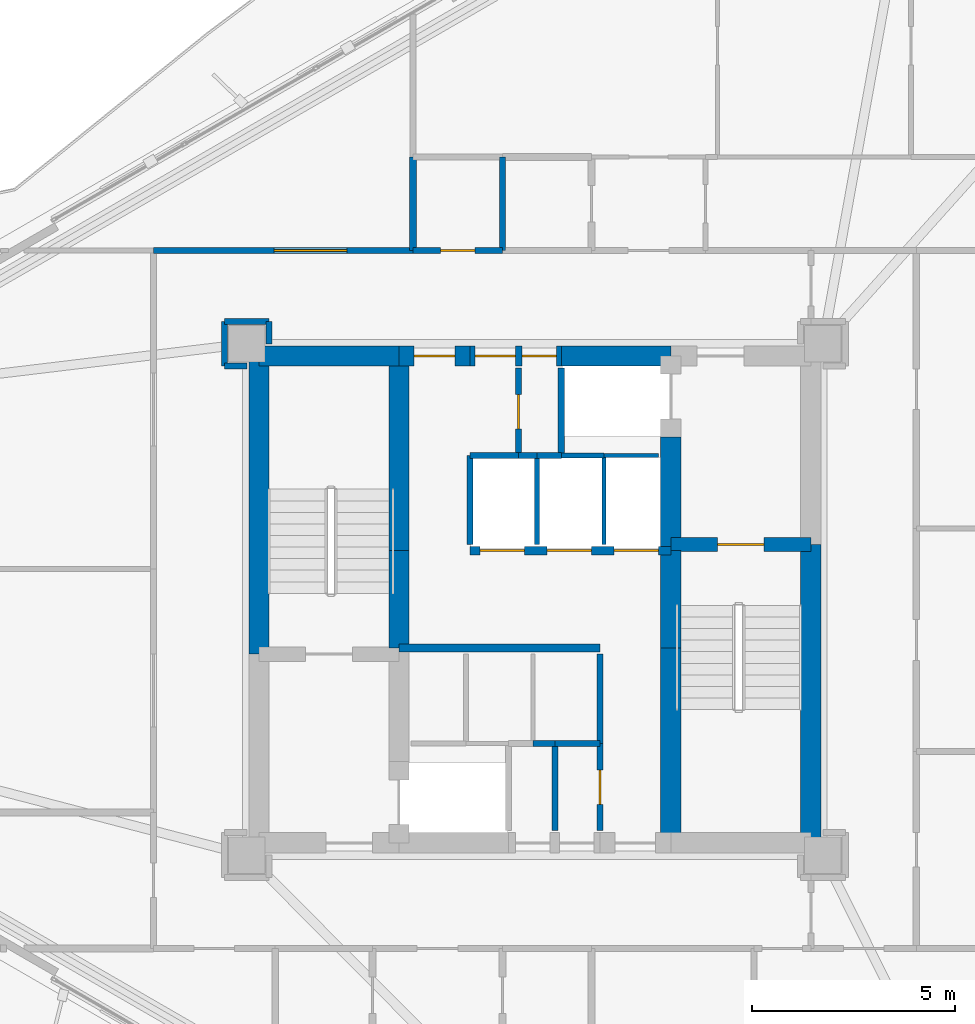
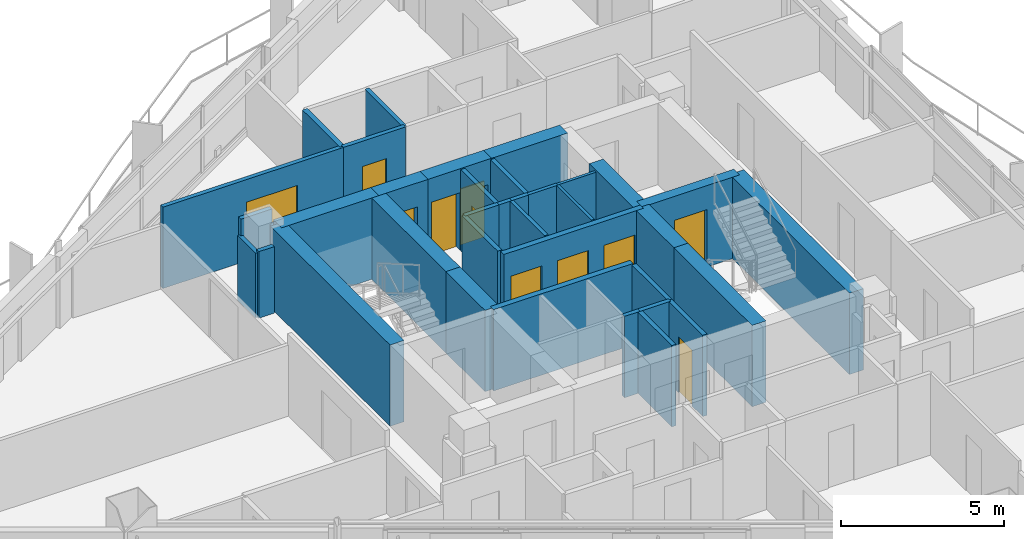
# One storey, part 17 of 22: 37 walls, 11 doors, 11 openings.
"""IFC4 building model written with IfcOpenShell, lengths in metres."""

import ifcopenshell
import ifcopenshell.guid

model = None  # the IFC model being written
_history = None  # IfcOwnerHistory: only IFC2X3 demands one
_inside = {}  # id of a spatial element -> (the spatial element, [elements in it])
_under = {}  # id of a project, library or spatial element -> (it, [spatial elements below it])
_declared = {}  # id of a project -> (the project, [libraries it declares])
_typed = {}  # id of a type object -> (the type object, [elements of that type])
_made_of = {}  # id of a material, layer set ... -> (it, [elements and type objects made of it])


def new_model(schema):
    """Start an empty IFC model of exactly this schema.

    Asked for "IFC4X3", IfcOpenShell would pick the latest addendum, in which some entities
    have other attributes; the version numbers below select the first issue.
    IFC2X3 requires an IfcOwnerHistory on every rooted entity: one is made here for all.
    """
    global model, _history
    if schema == "IFC4X3":
        model = ifcopenshell.file(schema_version=(4, 3, 0, 0))
    else:
        model = ifcopenshell.file(schema=schema)
    _inside.clear()
    _under.clear()
    _declared.clear()
    _typed.clear()
    _made_of.clear()
    _history = None
    if model.schema == "IFC2X3":
        org = make("IfcOrganization", Name="unknown")
        user = make(
            "IfcPersonAndOrganization",
            ThePerson=make("IfcPerson", FamilyName="unknown"),
            TheOrganization=org,
        )
        app = make(
            "IfcApplication",
            ApplicationDeveloper=org,
            Version="unknown",
            ApplicationFullName="unknown",
            ApplicationIdentifier="unknown",
        )
        _history = make(
            "IfcOwnerHistory",
            OwningUser=user,
            OwningApplication=app,
            ChangeAction="ADDED",
            CreationDate=0,
        )
    return model


def make(cls, **values):
    """One entity of the class cls with the attributes given. An attribute that is None is left unset."""
    return model.create_entity(
        cls, **{name: value for name, value in values.items() if value is not None}
    )


def rooted(cls, **values):
    """An entity with a GlobalId (a new one), such as an element, a storey or a relation."""
    return make(cls, GlobalId=ifcopenshell.guid.new(), OwnerHistory=_history, **values)


def si_unit(unit_type, name, prefix=None):
    """IfcSIUnit, for example si_unit("LENGTHUNIT", "METRE", prefix="MILLI")."""
    return make("IfcSIUnit", UnitType=unit_type, Prefix=prefix, Name=name)


def assignment(units):
    """IfcUnitAssignment: the units of a project."""
    return None if units is None else make("IfcUnitAssignment", Units=units)


def point(xyz):
    """IfcCartesianPoint."""
    return None if xyz is None else make("IfcCartesianPoint", Coordinates=xyz)


def direction(xyz):
    """IfcDirection."""
    return None if xyz is None else make("IfcDirection", DirectionRatios=xyz)


def frame(location, z_axis=None, x_axis=None):
    """IfcAxis2Placement3D, a coordinate frame: its origin and axes. An axis left out is left unset."""
    return make(
        "IfcAxis2Placement3D",
        Location=point(location),
        Axis=direction(z_axis),
        RefDirection=direction(x_axis),
    )


def frame_2d(location, x_axis=None):
    """IfcAxis2Placement2D, a coordinate frame in the plane: its origin and x axis."""
    return make(
        "IfcAxis2Placement2D", Location=point(location), RefDirection=direction(x_axis)
    )


def origin():
    """The frame at (0, 0, 0) with its axes left unset."""
    return frame((0.0, 0.0, 0.0))


def place(relative_to, where):
    """IfcLocalPlacement: puts the frame where relative to a parent placement (None: the world)."""
    return make(
        "IfcLocalPlacement", PlacementRelTo=relative_to, RelativePlacement=where
    )


def context(
    kind, dimensions, precision=None, world=None, true_north=None, identifier=None
):
    """IfcGeometricRepresentationContext, for example the 3D "Model" context."""
    return make(
        "IfcGeometricRepresentationContext",
        ContextIdentifier=identifier,
        ContextType=kind,
        CoordinateSpaceDimension=dimensions,
        Precision=precision,
        WorldCoordinateSystem=world,
        TrueNorth=true_north,
    )


def subcontext(parent, identifier, kind, view, scale=None):
    """IfcGeometricRepresentationSubContext, for example "Body" below "Model"."""
    return make(
        "IfcGeometricRepresentationSubContext",
        ContextIdentifier=identifier,
        ContextType=kind,
        ParentContext=parent,
        TargetScale=scale,
        TargetView=view,
    )


def project(units=None, contexts=None):
    """IfcProject with its units and contexts."""
    return rooted(
        "IfcProject",
        Name="project",
        RepresentationContexts=contexts,
        UnitsInContext=assignment(units),
    )


def spatial(cls, under=None, at=None, **own):
    """A site, building, storey or space (cls), placed at a placement, below another one or the project."""
    s = rooted(cls, ObjectPlacement=at, **own)
    if under is not None:
        _under.setdefault(under.id(), (under, []))[1].append(s)
    return s


def profile(cls, at=None, kind="AREA", **sizes):
    """A parametric profile (cls). Its sizes go by their IFC names, for example OverallWidth=200.0."""
    return make(cls, ProfileType=kind, Position=at, **sizes)


def rectangle(**sizes):
    """IfcRectangleProfileDef."""
    return profile("IfcRectangleProfileDef", **sizes)


def extrude(swept, where, along, depth):
    """IfcExtrudedAreaSolid: the profile swept, set in the frame where, extruded along a direction by depth."""
    return make(
        "IfcExtrudedAreaSolid",
        SweptArea=swept,
        Position=where,
        ExtrudedDirection=direction(along),
        Depth=depth,
    )


def shape(context_of_items, identifier, shape_type, items):
    """IfcShapeRepresentation: the items that make up one representation, for example the "Body"."""
    return make(
        "IfcShapeRepresentation",
        ContextOfItems=context_of_items,
        RepresentationIdentifier=identifier,
        RepresentationType=shape_type,
        Items=items,
    )


def material(Name=None, Category=None):
    """IfcMaterial."""
    return make("IfcMaterial", Name=Name, Category=Category)


def layer(
    of_material, thickness, ventilated=None, Name=None, Category=None, Priority=None
):
    """IfcMaterialLayer: one layer of a wall or slab, of a material (None: an air gap)."""
    return make(
        "IfcMaterialLayer",
        Material=of_material,
        LayerThickness=thickness,
        IsVentilated=ventilated,
        Name=Name,
        Category=Category,
        Priority=Priority,
    )


def layer_set(layers, Name=None):
    """IfcMaterialLayerSet."""
    return make("IfcMaterialLayerSet", MaterialLayers=layers, LayerSetName=Name)


def made_of(thing, what):
    """Note that an element or type object is made of a material, layer set ...; save() writes the relation."""
    if what is not None:
        _made_of.setdefault(what.id(), (what, []))[1].append(thing)
    return thing


def type_object(cls, material=None, **own):
    """A type object (cls), such as IfcWallType, which elements share."""
    return made_of(rooted(cls, **own), material)


def element(
    cls,
    number,
    at=None,
    inside=None,
    cuts=None,
    type_object=None,
    material=None,
    context=None,
    identifier="Body",
    shape_type=None,
    held_by="IfcProductDefinitionShape",
    body=None,
    shapes=None,
    **own,
):
    """One element of the class cls, such as IfcWall. Its Tag is "e" and its number.

    at: its placement. inside: the storey or other place that contains it. cuts: it is an
    opening in that element (IfcRelVoidsElement). A single representation is given by context,
    identifier, shape_type and body (its items); several are given by shapes. held_by: the class
    of the entity that holds the representations. save() writes the other relations.
    """
    e = rooted(cls, Tag="e%d" % number, ObjectPlacement=at, **own)
    if body is not None:
        shapes = [shape(context, identifier, shape_type, body)]
    if shapes is not None:
        e.Representation = make(held_by, Representations=shapes)
    if inside is not None:
        _inside.setdefault(inside.id(), (inside, []))[1].append(e)
    if cuts is not None:
        rooted(
            "IfcRelVoidsElement", RelatingBuildingElement=cuts, RelatedOpeningElement=e
        )
    if type_object is not None:
        _typed.setdefault(type_object.id(), (type_object, []))[1].append(e)
    return made_of(e, material)


def fill(opening, filler):
    """IfcRelFillsElement: the door or window that sits in an opening."""
    return rooted(
        "IfcRelFillsElement",
        RelatingOpeningElement=opening,
        RelatedBuildingElement=filler,
    )


def aggregate(whole, parts):
    """IfcRelAggregates: a whole, such as a stair, and the parts it consists of."""
    return rooted("IfcRelAggregates", RelatingObject=whole, RelatedObjects=parts)


def save(model, path):
    """Write the relations noted so far, then the file.

    IfcRelAggregates (storeys below a building ...), IfcRelContainedInSpatialStructure (elements
    in a storey), IfcRelDefinesByType, IfcRelAssociatesMaterial and IfcRelDeclares: one each for
    every whole, place, type object, material and project.
    """
    for whole, parts in _under.values():
        aggregate(whole, parts)
    for where, things in _inside.values():
        rooted(
            "IfcRelContainedInSpatialStructure",
            RelatedElements=things,
            RelatingStructure=where,
        )
    for kind, things in _typed.values():
        rooted("IfcRelDefinesByType", RelatedObjects=things, RelatingType=kind)
    for what, things in _made_of.values():
        rooted("IfcRelAssociatesMaterial", RelatedObjects=things, RelatingMaterial=what)
    for by, libraries in _declared.values():
        rooted("IfcRelDeclares", RelatingContext=by, RelatedDefinitions=libraries)
    model.write(path)


model = new_model("IFC4")

# Units and contexts
model_context = context("Model", 3, precision=1e-05, world=origin(), true_north=direction((0.0, 1.0)))
body_context = subcontext(model_context, "Body", "Model", "MODEL_VIEW")
ifc_project = project(units=[si_unit("LENGTHUNIT", "METRE"), si_unit("AREAUNIT", "SQUARE_METRE"), si_unit("VOLUMEUNIT", "CUBIC_METRE"), si_unit("PLANEANGLEUNIT", "RADIAN"), si_unit("MASSUNIT", "GRAM", prefix="KILO")], contexts=[model_context])

# Site, building, storey
site_placement = place(None, origin())
site = spatial("IfcSite", under=ifc_project, at=site_placement, CompositionType="ELEMENT")
building_placement = place(site_placement, origin())
building = spatial("IfcBuilding", under=site, at=building_placement, Name="Mersakhor Tower and Convention Hall", CompositionType="ELEMENT")
storey_placement = place(building_placement, frame((0.0, 0.0, 86.699951171875)))
storey = spatial("IfcBuildingStorey", under=building, at=storey_placement, Name="L23", CompositionType="ELEMENT", Elevation=86.699951171875)

# Walls
ifc_material_1 = material(Name="Moisture-resistant acoustic drywall studwork", Category="other")
ifc_layer_1 = layer(ifc_material_1, 0.175048828125)
ifc_layer_set_1 = layer_set([ifc_layer_1], Name="Moisture-resistant acoustic drywall studwork")
wall_type_1 = type_object("IfcWallType", Name="WL-PLM-175", PredefinedType="PLUMBINGWALL", material=ifc_layer_set_1)
wall_1_placement = place(storey_placement, frame((26.0, 35.35009765625, 0.0), z_axis=(0.0, 0.0, 1.0), x_axis=(0.0, 1.0, 0.0)))
element("IfcWall", 1, at=wall_1_placement, inside=storey, type_object=wall_type_1, Name="L23 Interior Partition Wall P-068", PredefinedType="PLUMBINGWALL", context=body_context, shape_type="SweptSolid", body=[
    extrude(rectangle(XDim=2.2998046875, YDim=0.175048828125, at=frame_2d((1.14990234375, 0.0))), origin(), (0.0, 0.0, 1.0), 3.050048828125),
])
ifc_material_2 = material(Name="Lightweight gypsum partition", Category="other")
ifc_layer_2 = layer(ifc_material_2, 0.10009765625)
ifc_layer_set_2 = layer_set([ifc_layer_2], Name="Lightweight gypsum partition")
wall_type_2 = type_object("IfcWallType", Name="WL-PRT-100", PredefinedType="PARTITIONING", material=ifc_layer_set_2)
wall_2_placement = place(storey_placement, frame((32.050048828125, 30.300048828125, 0.0), z_axis=(0.0, 0.0, 1.0), x_axis=(-1.0, 0.0, 0.0)))
element("IfcWall", 2, at=wall_2_placement, inside=storey, type_object=wall_type_2, Name="L23 Interior Partition Wall P-004", PredefinedType="PARTITIONING", context=body_context, shape_type="SweptSolid", body=[
    extrude(rectangle(XDim=1.35009765625, YDim=0.10009765625, at=frame_2d((0.675048828125, 0.0))), origin(), (0.0, 0.0, 1.0), 3.050048828125),
])
wall_3_placement = place(storey_placement, frame((30.699951171875, 30.300048828125, 0.0), z_axis=(0.0, 0.0, 1.0), x_axis=(0.0, -1.0, 0.0)))
element("IfcWall", 3, at=wall_3_placement, inside=storey, type_object=wall_type_2, Name="L23 Interior Partition Wall P-018", PredefinedType="PARTITIONING", context=body_context, shape_type="SweptSolid", body=[
    extrude(rectangle(XDim=2.199951171875, YDim=0.10009765625, at=frame_2d((1.10009765625, 0.0))), origin(), (0.0, 0.0, 1.0), 3.050048828125),
])
ifc_material_3 = material(Name="Gypsum board acoustic partition", Category="other")
ifc_layer_3 = layer(ifc_material_3, 0.125)
ifc_layer_set_3 = layer_set([ifc_layer_3], Name="Gypsum board acoustic partition")
wall_type_3 = type_object("IfcWallType", Name="WL-PRT-125", PredefinedType="PARTITIONING", material=ifc_layer_set_3)
wall_4_placement = place(storey_placement, frame((30.699951171875, 30.300048828125, 0.0), z_axis=(0.0, 0.0, 1.0), x_axis=(-1.0, 0.0, 0.0)))
element("IfcWall", 4, at=wall_4_placement, inside=storey, type_object=wall_type_3, Name="L23 Interior Partition Wall P-005", PredefinedType="PARTITIONING", context=body_context, shape_type="SweptSolid", body=[
    extrude(rectangle(XDim=1.050048828125, YDim=0.125, at=frame_2d((0.52490234375, 0.0))), origin(), (0.0, 0.0, 1.0), 3.050048828125),
])
wall_5_placement = place(storey_placement, frame((29.050048828125, 30.300048828125, 0.0), z_axis=(0.0, 0.0, 1.0), x_axis=(0.0, -1.0, 0.0)))
element("IfcWall", 5, at=wall_5_placement, inside=storey, type_object=wall_type_3, Name="L23 Interior Partition Wall P-015", PredefinedType="PARTITIONING", context=body_context, shape_type="SweptSolid", body=[
    extrude(rectangle(XDim=2.199951171875, YDim=0.125, at=frame_2d((1.10009765625, 0.0))), origin(), (0.0, 0.0, 1.0), 3.050048828125),
])
ifc_material_4 = material(Name="Fire-rated gypsum board stud partition", Category="other")
ifc_layer_4 = layer(ifc_material_4, 0.14990234375)
ifc_layer_set_4 = layer_set([ifc_layer_4], Name="Fire-rated gypsum board stud partition")
wall_type_4 = type_object("IfcWallType", Name="WL-PRT-150", PredefinedType="PARTITIONING", material=ifc_layer_set_4)
wall_6_placement = place(storey_placement, frame((29.64990234375, 30.300048828125, 0.0), z_axis=(0.0, 0.0, 1.0), x_axis=(0.0, 1.0, 0.0)))
element("IfcWall", 6, at=wall_6_placement, inside=storey, type_object=wall_type_4, Name="L23 Interior Partition Wall P-006", PredefinedType="PARTITIONING", context=body_context, shape_type="SweptSolid", body=[
    extrude(rectangle(XDim=2.14990234375, YDim=0.14990234375, at=frame_2d((1.074951171875, 0.0))), origin(), (0.0, 0.0, 1.0), 3.050048828125),
])
wall_7_placement = place(storey_placement, frame((30.60009765625, 25.39990234375, 0.0), z_axis=(0.0, 0.0, 1.0), x_axis=(0.0, -1.0, 0.0)))
element("IfcWall", 7, at=wall_7_placement, inside=storey, type_object=wall_type_4, Name="L23 Interior Partition Wall P-010", PredefinedType="PARTITIONING", context=body_context, shape_type="SweptSolid", body=[
    extrude(rectangle(XDim=2.199951171875, YDim=0.14990234375, at=frame_2d((1.10009765625, 0.0))), origin(), (0.0, 0.0, 1.0), 3.050048828125),
])
wall_8_placement = place(storey_placement, frame((30.60009765625, 23.199951171875, 0.0), z_axis=(0.0, 0.0, 1.0), x_axis=(-1.0, 0.0, 0.0)))
element("IfcWall", 8, at=wall_8_placement, inside=storey, type_object=wall_type_4, Name="L23 Interior Partition Wall P-011", PredefinedType="PARTITIONING", context=body_context, shape_type="SweptSolid", body=[
    extrude(rectangle(XDim=1.10009765625, YDim=0.14990234375, at=frame_2d((0.550048828125, 0.0))), origin(), (0.0, 0.0, 1.0), 3.050048828125),
])
wall_9_placement = place(storey_placement, frame((29.5, 23.199951171875, 0.0), z_axis=(0.0, 0.0, 1.0), x_axis=(-1.0, 0.0, 0.0)))
element("IfcWall", 9, at=wall_9_placement, inside=storey, type_object=wall_type_4, Name="L23 Interior Partition Wall P-012", PredefinedType="PARTITIONING", context=body_context, shape_type="SweptSolid", body=[
    extrude(rectangle(XDim=0.550048828125, YDim=0.14990234375, at=frame_2d((0.27490234375, 0.0))), origin(), (0.0, 0.0, 1.0), 3.050048828125),
])
wall_10_placement = place(storey_placement, frame((27.39990234375, 30.300048828125, 0.0), z_axis=(0.0, 0.0, 1.0), x_axis=(1.0, 0.0, 0.0)))
element("IfcWall", 10, at=wall_10_placement, inside=storey, type_object=wall_type_4, Name="L23 Interior Partition Wall P-013", PredefinedType="PARTITIONING", context=body_context, shape_type="SweptSolid", body=[
    extrude(rectangle(XDim=1.2001953125, YDim=0.14990234375, at=frame_2d((0.60009765625, 0.0))), origin(), (0.0, 0.0, 1.0), 3.050048828125),
])
wall_11_placement = place(storey_placement, frame((28.60009765625, 30.300048828125, 0.0), z_axis=(0.0, 0.0, 1.0), x_axis=(1.0, 0.0, 0.0)))
element("IfcWall", 11, at=wall_11_placement, inside=storey, type_object=wall_type_4, Name="L23 Interior Partition Wall P-014", PredefinedType="PARTITIONING", context=body_context, shape_type="SweptSolid", body=[
    extrude(rectangle(XDim=0.449951171875, YDim=0.14990234375, at=frame_2d((0.22509765625, 0.0))), origin(), (0.0, 0.0, 1.0), 3.050048828125),
])
wall_12_placement = place(storey_placement, frame((27.39990234375, 28.10009765625, 0.0), z_axis=(0.0, 0.0, 1.0), x_axis=(0.0, 1.0, 0.0)))
element("IfcWall", 12, at=wall_12_placement, inside=storey, type_object=wall_type_4, Name="L23 Interior Partition Wall P-016", PredefinedType="PARTITIONING", context=body_context, shape_type="SweptSolid", body=[
    extrude(rectangle(XDim=2.199951171875, YDim=0.14990234375, at=frame_2d((1.10009765625, 0.0))), origin(), (0.0, 0.0, 1.0), 3.050048828125),
])
wall_13_placement = place(storey_placement, frame((29.050048828125, 30.300048828125, 0.0), z_axis=(0.0, 0.0, 1.0), x_axis=(1.0, 0.0, 0.0)))
element("IfcWall", 13, at=wall_13_placement, inside=storey, type_object=wall_type_4, Name="L23 Interior Partition Wall P-017", PredefinedType="PARTITIONING", context=body_context, shape_type="SweptSolid", body=[
    extrude(rectangle(XDim=0.599853515625, YDim=0.14990234375, at=frame_2d((0.2998046875, 0.0))), origin(), (0.0, 0.0, 1.0), 3.050048828125),
])

# Wall, opening, door
wall_14_placement = place(storey_placement, frame((30.60009765625, 21.050048828125, 0.0), z_axis=(0.0, 0.0, 1.0), x_axis=(0.0, 1.0, 0.0)))
wall_14 = element("IfcWall", 14, at=wall_14_placement, inside=storey, type_object=wall_type_4, Name="L23 Interior Partition Wall P-019", PredefinedType="PARTITIONING", context=body_context, shape_type="SweptSolid", body=[
    extrude(rectangle(XDim=2.14990234375, YDim=0.14990234375, at=frame_2d((1.074951171875, 0.0))), origin(), (0.0, 0.0, 1.0), 3.050048828125),
])
opening_1_placement = place(wall_14_placement, frame((0.64990234375, 0.0, 0.0)))
opening_1 = element("IfcOpeningElement", 15, at=opening_1_placement, cuts=wall_14, Name="Opening SVD-01", PredefinedType="OPENING", context=body_context, shape_type="SweptSolid", body=[
    extrude(rectangle(XDim=0.85009765625, YDim=2.10009765625, at=frame_2d((0.425048828125, 1.050048828125))), frame((0.0, 0.0849609375, 0.0), z_axis=(0.0, -1.0, 0.0), x_axis=(1.0, 0.0, 0.0)), (0.0, 0.0, 1.0), 0.169921875),
])
ifc_material_5 = material(Name="Fire-rated hardwood leaf and painted steel frame", Category="steel")
door_type_1 = type_object("IfcDoorType", Name="DR-INT-SVC-085x210", OperationType="NOTDEFINED", PredefinedType="DOOR", material=ifc_material_5)
door_1_placement = place(opening_1_placement, origin())
door_1 = element("IfcDoor", 16, at=door_1_placement, inside=storey, type_object=door_type_1, Name="L23 Central Passenger Lift Lobby to Refuse and Recycling Room Door", OperationType="SINGLE_SWING_LEFT", OverallHeight=2.10009765625, OverallWidth=0.85009765625, PredefinedType="DOOR", context=body_context, shape_type="SweptSolid", body=[
    extrude(rectangle(XDim=0.85009765625, YDim=2.10009765625, at=frame_2d((0.425048828125, 1.050048828125))), frame((0.0, 0.02490234375, 0.0), z_axis=(0.0, -1.0, 0.0), x_axis=(1.0, 0.0, 0.0)), (0.0, 0.0, 1.0), 0.050048828125),
])
fill(opening_1, door_1)

wall_15_placement = place(storey_placement, frame((28.60009765625, 32.449951171875, 0.0), z_axis=(0.0, 0.0, 1.0), x_axis=(0.0, -1.0, 0.0)))
wall_15 = element("IfcWall", 17, at=wall_15_placement, inside=storey, type_object=wall_type_4, Name="L23 Interior Partition Wall P-020", PredefinedType="PARTITIONING", context=body_context, shape_type="SweptSolid", body=[
    extrude(rectangle(XDim=2.14990234375, YDim=0.14990234375, at=frame_2d((1.074951171875, 0.0))), origin(), (0.0, 0.0, 1.0), 3.050048828125),
])
opening_2_placement = place(wall_15_placement, frame((0.64990234375, 0.0, 0.0)))
opening_2 = element("IfcOpeningElement", 18, at=opening_2_placement, cuts=wall_15, Name="Opening SVD-01", PredefinedType="OPENING", context=body_context, shape_type="SweptSolid", body=[
    extrude(rectangle(XDim=0.85009765625, YDim=2.10009765625, at=frame_2d((0.425048828125, 1.050048828125))), frame((0.0, 0.0849609375, 0.0), z_axis=(0.0, -1.0, 0.0), x_axis=(1.0, 0.0, 0.0)), (0.0, 0.0, 1.0), 0.169921875),
])
door_2_placement = place(opening_2_placement, origin())
door_2 = element("IfcDoor", 19, at=door_2_placement, inside=storey, type_object=door_type_1, Name="L23 Central Passenger Lift Lobby to Cleaner Store Room Door", OperationType="SINGLE_SWING_RIGHT", OverallHeight=2.10009765625, OverallWidth=0.85009765625, PredefinedType="DOOR", context=body_context, shape_type="SweptSolid", body=[
    extrude(rectangle(XDim=0.85009765625, YDim=2.10009765625, at=frame_2d((0.425048828125, 1.050048828125))), frame((0.0, 0.02490234375, 0.0), z_axis=(0.0, -1.0, 0.0), x_axis=(1.0, 0.0, 0.0)), (0.0, 0.0, 1.0), 0.050048828125),
])
fill(opening_2, door_2)

wall_16_placement = place(storey_placement, frame((19.60009765625, 35.35009765625, 0.0), z_axis=(0.0, 0.0, 1.0), x_axis=(1.0, 0.0, 0.0)))
wall_16 = element("IfcWall", 20, at=wall_16_placement, inside=storey, type_object=wall_type_4, Name="L23 Interior Partition Wall P-035", PredefinedType="PARTITIONING", context=body_context, shape_type="SweptSolid", body=[
    extrude(rectangle(XDim=6.39990234375, YDim=0.14990234375, at=frame_2d((3.199951171875, 0.0))), origin(), (0.0, 0.0, 1.0), 3.050048828125),
])
opening_3_placement = place(wall_16_placement, frame((2.966064453125, 0.0, 0.0)))
opening_3 = element("IfcOpeningElement", 21, at=opening_3_placement, cuts=wall_16, Name="Opening HD-01", PredefinedType="OPENING", context=body_context, shape_type="SweptSolid", body=[
    extrude(rectangle(XDim=1.800048828125, YDim=2.199951171875, at=frame_2d((0.89990234375, 1.10009765625))), frame((0.0, 0.0849609375, 0.0), z_axis=(0.0, -1.0, 0.0), x_axis=(1.0, 0.0, 0.0)), (0.0, 0.0, 1.0), 0.169921875),
])
ifc_material_6 = material(Name="Fire-rated hardwood leaf and painted steel frame", Category="steel")
door_type_2 = type_object("IfcDoorType", Name="DR-INT-HALL-180x220", OperationType="NOTDEFINED", PredefinedType="DOOR", material=ifc_material_6)
door_3_placement = place(opening_3_placement, origin())
door_3 = element("IfcDoor", 22, at=door_3_placement, inside=storey, type_object=door_type_2, Name="L23 Residential Ring Corridor to L23 North Residents Multi-Purpose Assembly Hall Door", OperationType="DOUBLE_DOOR_SINGLE_SWING", OverallHeight=2.199951171875, OverallWidth=1.800048828125, PredefinedType="DOOR", context=body_context, shape_type="SweptSolid", body=[
    extrude(rectangle(XDim=1.800048828125, YDim=2.199951171875, at=frame_2d((0.89990234375, 1.10009765625))), frame((0.0, 0.02490234375, 0.0), z_axis=(0.0, -1.0, 0.0), x_axis=(1.0, 0.0, 0.0)), (0.0, 0.0, 1.0), 0.050048828125),
])
fill(opening_3, door_3)

wall_17_placement = place(storey_placement, frame((26.0, 35.35009765625, 0.0), z_axis=(0.0, 0.0, 1.0), x_axis=(1.0, 0.0, 0.0)))
wall_17 = element("IfcWall", 23, at=wall_17_placement, inside=storey, type_object=wall_type_4, Name="L23 Interior Partition Wall P-036", PredefinedType="PARTITIONING", context=body_context, shape_type="SweptSolid", body=[
    extrude(rectangle(XDim=2.199951171875, YDim=0.14990234375, at=frame_2d((1.10009765625, 0.0))), origin(), (0.0, 0.0, 1.0), 3.050048828125),
])
opening_4_placement = place(wall_17_placement, frame((0.675048828125, 0.0, 0.0)))
opening_4 = element("IfcOpeningElement", 24, at=opening_4_placement, cuts=wall_17, Name="Opening SVD-01", PredefinedType="OPENING", context=body_context, shape_type="SweptSolid", body=[
    extrude(rectangle(XDim=0.85009765625, YDim=2.10009765625, at=frame_2d((0.425048828125, 1.050048828125))), frame((0.0, 0.0849609375, 0.0), z_axis=(0.0, -1.0, 0.0), x_axis=(1.0, 0.0, 0.0)), (0.0, 0.0, 1.0), 0.169921875),
])
door_4_placement = place(opening_4_placement, origin())
door_4 = element("IfcDoor", 25, at=door_4_placement, inside=storey, type_object=door_type_1, Name="L23 Residential Ring Corridor to L23 North Floor Accessible Toilet WC Door", OperationType="SINGLE_SWING_LEFT", OverallHeight=2.10009765625, OverallWidth=0.85009765625, PredefinedType="DOOR", context=body_context, shape_type="SweptSolid", body=[
    extrude(rectangle(XDim=0.85009765625, YDim=2.10009765625, at=frame_2d((0.425048828125, 1.050048828125))), frame((0.0, 0.02490234375, 0.0), z_axis=(0.0, -1.0, 0.0), x_axis=(1.0, 0.0, 0.0)), (0.0, 0.0, 1.0), 0.050048828125),
])
fill(opening_4, door_4)

# Walls
wall_18_placement = place(storey_placement, frame((22.449951171875, 33.050048828125, 0.0), z_axis=(0.0, 0.0, 1.0), x_axis=(0.0, 1.0, 0.0)))
element("IfcWall", 26, at=wall_18_placement, inside=storey, type_object=wall_type_4, Name="L23 Interior Partition Wall P-043", PredefinedType="PARTITIONING", context=body_context, shape_type="SweptSolid", body=[
    extrude(rectangle(XDim=0.550048828125, YDim=0.14990234375, at=frame_2d((0.27490234375, 0.0))), origin(), (0.0, 0.0, 1.0), 2.498291015625),
])
wall_19_placement = place(storey_placement, frame((22.449951171875, 33.60009765625, 0.0), z_axis=(0.0, 0.0, 1.0), x_axis=(-1.0, 0.0, 0.0)))
element("IfcWall", 27, at=wall_19_placement, inside=storey, type_object=wall_type_4, Name="L23 Interior Partition Wall P-044", PredefinedType="PARTITIONING", context=body_context, shape_type="SweptSolid", body=[
    extrude(rectangle(XDim=1.099853515625, YDim=0.14990234375, at=frame_2d((0.5498046875, 0.0))), origin(), (0.0, 0.0, 1.0), 3.050048828125),
])
wall_20_placement = place(storey_placement, frame((21.35009765625, 33.60009765625, 0.0), z_axis=(0.0, 0.0, 1.0), x_axis=(0.0, -1.0, 0.0)))
element("IfcWall", 28, at=wall_20_placement, inside=storey, type_object=wall_type_4, Name="L23 Interior Partition Wall P-045", PredefinedType="PARTITIONING", context=body_context, shape_type="SweptSolid", body=[
    extrude(rectangle(XDim=1.10009765625, YDim=0.14990234375, at=frame_2d((0.550048828125, 0.0))), origin(), (0.0, 0.0, 1.0), 2.4228515625),
])
wall_21_placement = place(storey_placement, frame((21.35009765625, 32.5, 0.0), z_axis=(0.0, 0.0, 1.0), x_axis=(1.0, 0.0, 0.0)))
element("IfcWall", 29, at=wall_21_placement, inside=storey, type_object=wall_type_4, Name="L23 Interior Partition Wall P-046", PredefinedType="PARTITIONING", context=body_context, shape_type="SweptSolid", body=[
    extrude(rectangle(XDim=0.5498046875, YDim=0.14990234375, at=frame_2d((0.27490234375, 0.0))), origin(), (0.0, 0.0, 1.0), 2.498291015625),
])
wall_22_placement = place(storey_placement, frame((28.199951171875, 37.64990234375, 0.0), z_axis=(0.0, 0.0, 1.0), x_axis=(0.0, -1.0, 0.0)))
element("IfcWall", 30, at=wall_22_placement, inside=storey, type_object=wall_type_4, Name="L23 Interior Partition Wall P-067", PredefinedType="PARTITIONING", context=body_context, shape_type="SweptSolid", body=[
    extrude(rectangle(XDim=2.2998046875, YDim=0.14990234375, at=frame_2d((1.14990234375, 0.0))), origin(), (0.0, 0.0, 1.0), 3.050048828125),
])
wall_23_placement = place(storey_placement, frame((29.5, 23.199951171875, 0.0), z_axis=(0.0, 0.0, 1.0), x_axis=(0.0, -1.0, 0.0)))
element("IfcWall", 31, at=wall_23_placement, inside=storey, type_object=wall_type_4, Name="L23 Interior Partition Wall P-085", PredefinedType="PARTITIONING", context=body_context, shape_type="SweptSolid", body=[
    extrude(rectangle(XDim=2.14990234375, YDim=0.14990234375, at=frame_2d((1.074951171875, 0.0))), origin(), (0.0, 0.0, 1.0), 3.050048828125),
])
ifc_material_7 = material(Name="Acoustic concrete blockwork and gypsum board", Category="masonry")
ifc_layer_5 = layer(ifc_material_7, 0.199951171875)
ifc_layer_set_5 = layer_set([ifc_layer_5], Name="Acoustic concrete blockwork and gypsum board")
wall_type_5 = type_object("IfcWallType", Name="WL-PRT-200", PredefinedType="PARTITIONING", material=ifc_layer_set_5)
wall_24_placement = place(storey_placement, frame((25.64990234375, 25.550048828125, 0.0), z_axis=(0.0, 0.0, 1.0), x_axis=(1.0, 0.0, 0.0)))
element("IfcWall", 32, at=wall_24_placement, inside=storey, type_object=wall_type_5, Name="L23 High-Rise Lift Bank Front Wall", PredefinedType="PARTITIONING", context=body_context, shape_type="SweptSolid", body=[
    extrude(rectangle(XDim=4.9501953125, YDim=0.199951171875, at=frame_2d((2.47509765625, 0.0))), origin(), (0.0, 0.0, 1.0), 3.050048828125),
])

# Wall, openings, doors
wall_25_placement = place(storey_placement, frame((27.39990234375, 27.949951171875, 0.0), z_axis=(0.0, 0.0, 1.0), x_axis=(1.0, 0.0, 0.0)))
wall_25 = element("IfcWall", 33, at=wall_25_placement, inside=storey, type_object=wall_type_5, Name="L23 Low-Rise Lift Bank Front Wall", PredefinedType="PARTITIONING", context=body_context, shape_type="SweptSolid", body=[
    extrude(rectangle(XDim=4.9501953125, YDim=0.199951171875, at=frame_2d((2.47509765625, 0.0))), origin(), (0.0, 0.0, 1.0), 3.050048828125),
])
opening_5_placement = place(wall_25_placement, frame((0.25, 0.0, 0.0)))
opening_5 = element("IfcOpeningElement", 34, at=opening_5_placement, cuts=wall_25, Name="Opening LD-P1", PredefinedType="OPENING", context=body_context, shape_type="SweptSolid", body=[
    extrude(rectangle(XDim=1.10009765625, YDim=2.14990234375, at=frame_2d((0.550048828125, 1.074951171875))), frame((0.0, 0.10986328125, 0.0), z_axis=(0.0, -1.0, 0.0), x_axis=(1.0, 0.0, 0.0)), (0.0, 0.0, 1.0), 0.219970703125),
])
opening_6_placement = place(wall_25_placement, frame((1.89990234375, 0.0, 0.0)))
opening_6 = element("IfcOpeningElement", 35, at=opening_6_placement, cuts=wall_25, Name="Opening LD-P2", PredefinedType="OPENING", context=body_context, shape_type="SweptSolid", body=[
    extrude(rectangle(XDim=1.10009765625, YDim=2.14990234375, at=frame_2d((0.550048828125, 1.074951171875))), frame((0.0, 0.10986328125, 0.0), z_axis=(0.0, -1.0, 0.0), x_axis=(1.0, 0.0, 0.0)), (0.0, 0.0, 1.0), 0.219970703125),
])
opening_7_placement = place(wall_25_placement, frame((3.550048828125, 0.0, 0.0)))
opening_7 = element("IfcOpeningElement", 36, at=opening_7_placement, cuts=wall_25, Name="Opening LD-P3", PredefinedType="OPENING", context=body_context, shape_type="SweptSolid", body=[
    extrude(rectangle(XDim=1.10009765625, YDim=2.14990234375, at=frame_2d((0.550048828125, 1.074951171875))), frame((0.0, 0.10986328125, 0.0), z_axis=(0.0, -1.0, 0.0), x_axis=(1.0, 0.0, 0.0)), (0.0, 0.0, 1.0), 0.219970703125),
])
ifc_material_8 = material(Name="Fire-rated brushed stainless steel sliding landing door", Category="steel")
door_type_3 = type_object("IfcDoorType", Name="DR-LIFT-SLD-110x215", OperationType="NOTDEFINED", PredefinedType="DOOR", material=ifc_material_8)
door_5_placement = place(opening_5_placement, origin())
door_5 = element("IfcDoor", 37, at=door_5_placement, inside=storey, type_object=door_type_3, Name="L23 Lift Landing Door LD-P1", OperationType="SLIDING_TO_LEFT", OverallHeight=2.14990234375, OverallWidth=1.10009765625, PredefinedType="DOOR", context=body_context, shape_type="SweptSolid", body=[
    extrude(rectangle(XDim=1.10009765625, YDim=2.14990234375, at=frame_2d((0.550048828125, 1.074951171875))), frame((0.0, 0.02490234375, 0.0), z_axis=(0.0, -1.0, 0.0), x_axis=(1.0, 0.0, 0.0)), (0.0, 0.0, 1.0), 0.050048828125),
])
fill(opening_5, door_5)
door_6_placement = place(opening_6_placement, origin())
door_6 = element("IfcDoor", 38, at=door_6_placement, inside=storey, type_object=door_type_3, Name="L23 Lift Landing Door LD-P2", OperationType="SLIDING_TO_LEFT", OverallHeight=2.14990234375, OverallWidth=1.10009765625, PredefinedType="DOOR", context=body_context, shape_type="SweptSolid", body=[
    extrude(rectangle(XDim=1.10009765625, YDim=2.14990234375, at=frame_2d((0.550048828125, 1.074951171875))), frame((0.0, 0.02490234375, 0.0), z_axis=(0.0, -1.0, 0.0), x_axis=(1.0, 0.0, 0.0)), (0.0, 0.0, 1.0), 0.050048828125),
])
fill(opening_6, door_6)
door_7_placement = place(opening_7_placement, origin())
door_7 = element("IfcDoor", 39, at=door_7_placement, inside=storey, type_object=door_type_3, Name="L23 Lift Landing Door LD-P3", OperationType="SLIDING_TO_LEFT", OverallHeight=2.14990234375, OverallWidth=1.10009765625, PredefinedType="DOOR", context=body_context, shape_type="SweptSolid", body=[
    extrude(rectangle(XDim=1.10009765625, YDim=2.14990234375, at=frame_2d((0.550048828125, 1.074951171875))), frame((0.0, 0.02490234375, 0.0), z_axis=(0.0, -1.0, 0.0), x_axis=(1.0, 0.0, 0.0)), (0.0, 0.0, 1.0), 0.050048828125),
])
fill(opening_7, door_7)

# Wall, opening, door
ifc_material_9 = material(Name="Concrete C50/60", Category="concrete")
ifc_layer_6 = layer(ifc_material_9, 0.35009765625)
ifc_layer_set_6 = layer_set([ifc_layer_6], Name="Concrete C50/60")
wall_type_6 = type_object("IfcWallType", Name="WL-SHR-350", PredefinedType="SHEAR", material=ifc_layer_set_6)
wall_26_placement = place(storey_placement, frame((32.35009765625, 28.10009765625, 0.0), z_axis=(0.0, 0.0, 1.0), x_axis=(1.0, 0.0, 0.0)))
wall_26 = element("IfcWall", 40, at=wall_26_placement, inside=storey, type_object=wall_type_6, Name="L23 Core Wall CS-ST2-N", PredefinedType="SHEAR", context=body_context, shape_type="SweptSolid", body=[
    extrude(rectangle(XDim=3.449951171875, YDim=0.35009765625, at=frame_2d((1.72509765625, 0.0))), origin(), (0.0, 0.0, 1.0), 3.050048828125),
])
opening_8_placement = place(wall_26_placement, frame((1.14990234375, 0.0, 0.0)))
opening_8 = element("IfcOpeningElement", 41, at=opening_8_placement, cuts=wall_26, Name="Opening SD-01", PredefinedType="OPENING", context=body_context, shape_type="SweptSolid", body=[
    extrude(rectangle(XDim=1.14990234375, YDim=2.14990234375, at=frame_2d((0.574951171875, 1.074951171875))), frame((0.0, 0.18505859375, 0.0), z_axis=(0.0, -1.0, 0.0), x_axis=(1.0, 0.0, 0.0)), (0.0, 0.0, 1.0), 0.3701171875),
])
ifc_material_10 = material(Name="Fire-rated hardwood leaf and painted steel frame", Category="steel")
door_type_4 = type_object("IfcDoorType", Name="DR-INT-STAIR-115x215", OperationType="NOTDEFINED", PredefinedType="DOOR", material=ifc_material_10)
door_8_placement = place(opening_8_placement, origin())
door_8 = element("IfcDoor", 42, at=door_8_placement, inside=storey, type_object=door_type_4, Name="L23 Exit Stair ST-2 Enclosure Door", OperationType="SINGLE_SWING_RIGHT", OverallHeight=2.14990234375, OverallWidth=1.14990234375, PredefinedType="DOOR", context=body_context, shape_type="SweptSolid", body=[
    extrude(rectangle(XDim=1.14990234375, YDim=2.14990234375, at=frame_2d((0.574951171875, 1.074951171875))), frame((0.0, 0.02490234375, 0.0), z_axis=(0.0, -1.0, 0.0), x_axis=(1.0, 0.0, 0.0)), (0.0, 0.0, 1.0), 0.050048828125),
])
fill(opening_8, door_8)

# Walls
ifc_material_11 = material(Name="Concrete C70/85", Category="concrete")
ifc_layer_7 = layer(ifc_material_11, 0.5)
ifc_layer_set_7 = layer_set([ifc_layer_7], Name="Concrete C70/85")
wall_type_7 = type_object("IfcWallType", Name="WL-SHR-500", PredefinedType="SHEAR", material=ifc_layer_set_7)
wall_27_placement = place(storey_placement, frame((22.199951171875, 25.39990234375, 0.0), z_axis=(0.0, 0.0, 1.0), x_axis=(0.0, 1.0, 0.0)))
element("IfcWall", 43, at=wall_27_placement, inside=storey, type_object=wall_type_7, Name="L23 Core Wall CW-W2", PredefinedType="SHEAR", context=body_context, shape_type="SweptSolid", body=[
    extrude(rectangle(XDim=7.35009765625, YDim=0.5, at=frame_2d((3.675048828125, 0.0))), origin(), (0.0, 0.0, 1.0), 3.050048828125),
])
wall_28_placement = place(storey_placement, frame((22.199951171875, 32.75, 0.0), z_axis=(0.0, 0.0, 1.0), x_axis=(1.0, 0.0, 0.0)))
element("IfcWall", 44, at=wall_28_placement, inside=storey, type_object=wall_type_7, Name="L23 Core Wall CW-N1", PredefinedType="SHEAR", context=body_context, shape_type="SweptSolid", body=[
    extrude(rectangle(XDim=3.449951171875, YDim=0.5, at=frame_2d((1.72509765625, 0.0))), origin(), (0.0, 0.0, 1.0), 3.050048828125),
])

# Wall, opening, door
wall_29_placement = place(storey_placement, frame((25.64990234375, 32.75, 0.0), z_axis=(0.0, 0.0, 1.0), x_axis=(1.0, 0.0, 0.0)))
wall_29 = element("IfcWall", 45, at=wall_29_placement, inside=storey, type_object=wall_type_7, Name="L23 Core Wall CW-N2A", PredefinedType="SHEAR", context=body_context, shape_type="SweptSolid", body=[
    extrude(rectangle(XDim=1.75, YDim=0.5, at=frame_2d((0.875, 0.0))), origin(), (0.0, 0.0, 1.0), 3.050048828125),
])
opening_9_placement = place(wall_29_placement, frame((0.375, 0.0, 0.0)))
opening_9 = element("IfcOpeningElement", 46, at=opening_9_placement, cuts=wall_29, Name="Opening CFD-01", PredefinedType="OPENING", context=body_context, shape_type="SweptSolid", body=[
    extrude(rectangle(XDim=1.0, YDim=2.14990234375, at=frame_2d((0.5, 1.074951171875))), frame((0.0, 0.260009765625, 0.0), z_axis=(0.0, -1.0, 0.0), x_axis=(1.0, 0.0, 0.0)), (0.0, 0.0, 1.0), 0.52001953125),
])
ifc_material_12 = material(Name="Fire-rated hardwood leaf and painted steel frame", Category="steel")
door_type_5 = type_object("IfcDoorType", Name="DR-CORE-FD-100x215", OperationType="NOTDEFINED", PredefinedType="DOOR", material=ifc_material_12)
door_9_placement = place(opening_9_placement, origin())
door_9 = element("IfcDoor", 47, at=door_9_placement, inside=storey, type_object=door_type_5, Name="L23 Lift Lobby North Corridor Door", OperationType="SINGLE_SWING_LEFT", OverallHeight=2.14990234375, OverallWidth=1.0, PredefinedType="DOOR", context=body_context, shape_type="SweptSolid", body=[
    extrude(rectangle(XDim=1.0, YDim=2.14990234375, at=frame_2d((0.5, 1.074951171875))), frame((0.0, 0.02490234375, 0.0), z_axis=(0.0, -1.0, 0.0), x_axis=(1.0, 0.0, 0.0)), (0.0, 0.0, 1.0), 0.050048828125),
])
fill(opening_9, door_9)

# Wall, openings, doors
wall_30_placement = place(storey_placement, frame((27.39990234375, 32.75, 0.0), z_axis=(0.0, 0.0, 1.0), x_axis=(1.0, 0.0, 0.0)))
wall_30 = element("IfcWall", 48, at=wall_30_placement, inside=storey, type_object=wall_type_7, Name="L23 Core Wall CW-N2B", PredefinedType="SHEAR", context=body_context, shape_type="SweptSolid", body=[
    extrude(rectangle(XDim=2.25, YDim=0.5, at=frame_2d((1.125, 0.0))), origin(), (0.0, 0.0, 1.0), 3.050048828125),
])
opening_10_placement = place(wall_30_placement, frame((0.1201171875, 0.0, 0.0)))
opening_10 = element("IfcOpeningElement", 49, at=opening_10_placement, cuts=wall_30, Name="Opening FD-01", PredefinedType="OPENING", context=body_context, shape_type="SweptSolid", body=[
    extrude(rectangle(XDim=1.0, YDim=2.14990234375, at=frame_2d((0.5, 1.074951171875))), frame((0.0, 0.260009765625, 0.0), z_axis=(0.0, -1.0, 0.0), x_axis=(1.0, 0.0, 0.0)), (0.0, 0.0, 1.0), 0.52001953125),
])
opening_11_placement = place(wall_30_placement, frame((1.280029296875, 0.0, 0.0)))
opening_11 = element("IfcOpeningElement", 50, at=opening_11_placement, cuts=wall_30, Name="Opening SVD-01", PredefinedType="OPENING", context=body_context, shape_type="SweptSolid", body=[
    extrude(rectangle(XDim=0.85009765625, YDim=2.10009765625, at=frame_2d((0.425048828125, 1.050048828125))), frame((0.0, 0.260009765625, 0.0), z_axis=(0.0, -1.0, 0.0), x_axis=(1.0, 0.0, 0.0)), (0.0, 0.0, 1.0), 0.52001953125),
])
ifc_material_13 = material(Name="Fire-rated hardwood leaf and painted steel frame", Category="steel")
door_type_6 = type_object("IfcDoorType", Name="DR-INT-FLT-100x215", OperationType="NOTDEFINED", PredefinedType="DOOR", material=ifc_material_13)
door_10_placement = place(opening_10_placement, origin())
door_10 = element("IfcDoor", 51, at=door_10_placement, inside=storey, type_object=door_type_6, Name="L23 Central Passenger Lift Lobby to Residential Ring Corridor Door", OperationType="SINGLE_SWING_RIGHT", OverallHeight=2.14990234375, OverallWidth=1.0, PredefinedType="DOOR", context=body_context, shape_type="SweptSolid", body=[
    extrude(rectangle(XDim=1.0, YDim=2.14990234375, at=frame_2d((0.5, 1.074951171875))), frame((0.0, 0.02490234375, 0.0), z_axis=(0.0, -1.0, 0.0), x_axis=(1.0, 0.0, 0.0)), (0.0, 0.0, 1.0), 0.050048828125),
])
fill(opening_10, door_10)
door_11_placement = place(opening_11_placement, origin())
door_11 = element("IfcDoor", 52, at=door_11_placement, inside=storey, type_object=door_type_1, Name="L23 Residential Ring Corridor to Cleaner Store Room Door", OperationType="SINGLE_SWING_LEFT", OverallHeight=2.10009765625, OverallWidth=0.85009765625, PredefinedType="DOOR", context=body_context, shape_type="SweptSolid", body=[
    extrude(rectangle(XDim=0.85009765625, YDim=2.10009765625, at=frame_2d((0.425048828125, 1.050048828125))), frame((0.0, 0.02490234375, 0.0), z_axis=(0.0, -1.0, 0.0), x_axis=(1.0, 0.0, 0.0)), (0.0, 0.0, 1.0), 0.050048828125),
])
fill(opening_11, door_11)

# Walls
wall_31_placement = place(storey_placement, frame((29.64990234375, 32.75, 0.0), z_axis=(0.0, 0.0, 1.0), x_axis=(1.0, 0.0, 0.0)))
element("IfcWall", 53, at=wall_31_placement, inside=storey, type_object=wall_type_7, Name="L23 Core Wall CW-N3", PredefinedType="SHEAR", context=body_context, shape_type="SweptSolid", body=[
    extrude(rectangle(XDim=2.7001953125, YDim=0.5, at=frame_2d((1.35009765625, 0.0))), origin(), (0.0, 0.0, 1.0), 3.050048828125),
])
wall_32_placement = place(storey_placement, frame((35.800048828125, 28.10009765625, 0.0), z_axis=(0.0, 0.0, 1.0), x_axis=(0.0, -1.0, 0.0)))
element("IfcWall", 54, at=wall_32_placement, inside=storey, type_object=wall_type_7, Name="L23 Core Wall CW-E2", PredefinedType="SHEAR", context=body_context, shape_type="SweptSolid", body=[
    extrude(rectangle(XDim=7.35009765625, YDim=0.5, at=frame_2d((3.675048828125, 0.0))), origin(), (0.0, 0.0, 1.0), 3.050048828125),
])
wall_33_placement = place(storey_placement, frame((25.64990234375, 25.550048828125, 0.0), z_axis=(0.0, 0.0, 1.0), x_axis=(0.0, 1.0, 0.0)))
element("IfcWall", 55, at=wall_33_placement, inside=storey, type_object=wall_type_7, Name="L23 Core Wall CS-W-LOB", PredefinedType="SHEAR", context=body_context, shape_type="SweptSolid", body=[
    extrude(rectangle(XDim=2.39990234375, YDim=0.5, at=frame_2d((1.199951171875, 0.0))), origin(), (0.0, 0.0, 1.0), 3.050048828125),
])
for number, where, z_axis, x_axis, name in (
    (56, (25.64990234375, 27.949951171875, 0.0), (0.0, 0.0, 1.0), (0.0, 1.0, 0.0), "L23 Core Wall CS-W-ST1"),
    (57, (32.35009765625, 20.75, 0.0), (0.0, 0.0, 1.0), (0.0, 1.0, 0.0), "L23 Core Wall CS-E-ST2"),
):
    element("IfcWall", number, at=place(storey_placement, frame(where, z_axis=z_axis, x_axis=x_axis)), inside=storey, type_object=wall_type_7, Name=name, PredefinedType="SHEAR", context=body_context, shape_type="SweptSolid", body=[
        extrude(rectangle(XDim=4.800048828125, YDim=0.5, at=frame_2d((2.39990234375, 0.0))), origin(), (0.0, 0.0, 1.0), 3.050048828125),
    ])
wall_34_placement = place(storey_placement, frame((32.35009765625, 25.550048828125, 0.0), z_axis=(0.0, 0.0, 1.0), x_axis=(0.0, 1.0, 0.0)))
element("IfcWall", 58, at=wall_34_placement, inside=storey, type_object=wall_type_7, Name="L23 Core Wall CS-E-LOB", PredefinedType="SHEAR", context=body_context, shape_type="SweptSolid", body=[
    extrude(rectangle(XDim=2.39990234375, YDim=0.5, at=frame_2d((1.199951171875, 0.0))), origin(), (0.0, 0.0, 1.0), 3.050048828125),
])
wall_35_placement = place(storey_placement, frame((32.35009765625, 27.949951171875, 0.0), z_axis=(0.0, 0.0, 1.0), x_axis=(0.0, 1.0, 0.0)))
element("IfcWall", 59, at=wall_35_placement, inside=storey, type_object=wall_type_7, Name="L23 Core Wall CS-E-MID", PredefinedType="SHEAR", context=body_context, shape_type="SweptSolid", body=[
    extrude(rectangle(XDim=2.800048828125, YDim=0.5, at=frame_2d((1.39990234375, 0.0))), origin(), (0.0, 0.0, 1.0), 3.050048828125),
])

save(model, "model.ifc")
